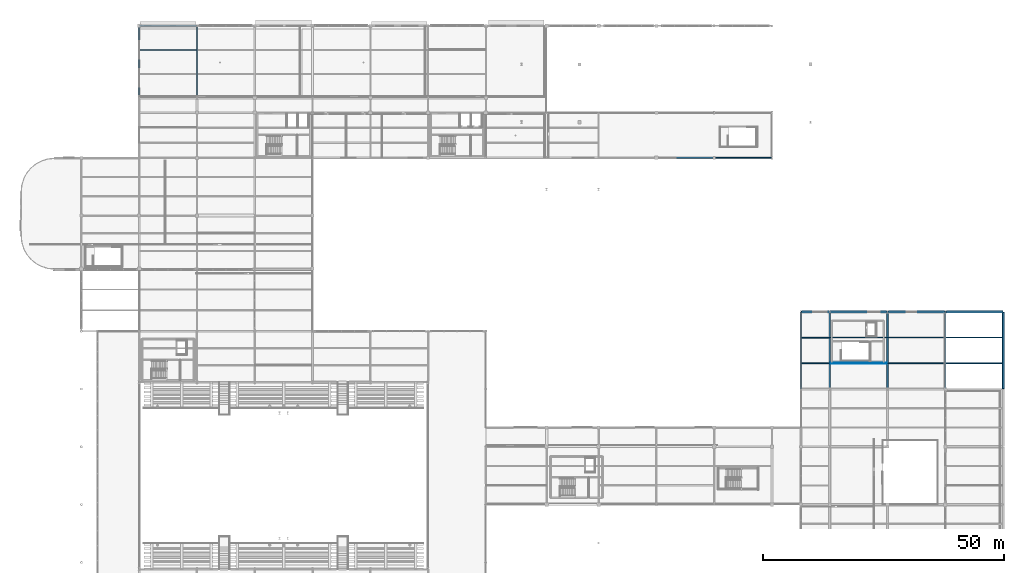
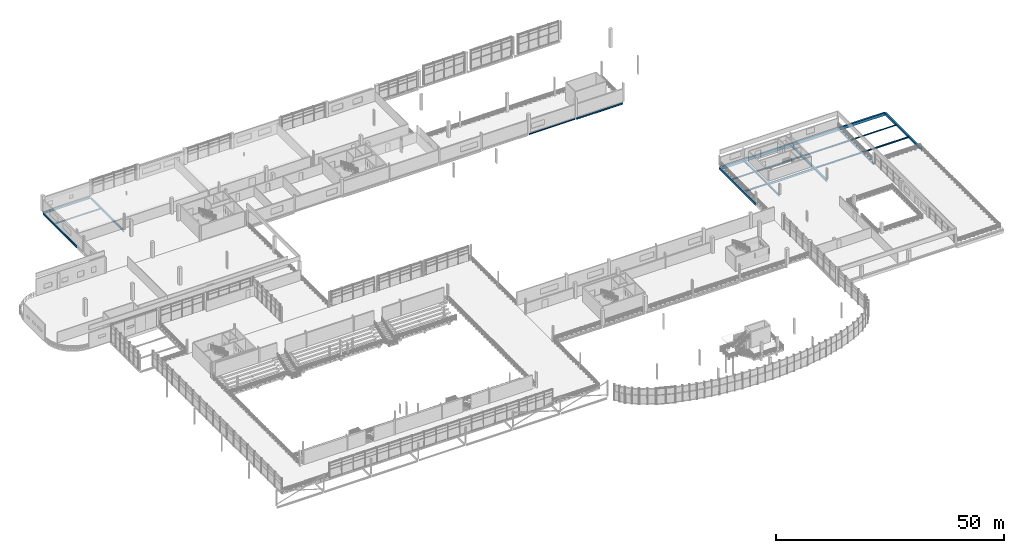
# One storey, part 49 of 89: 23 beams.
"""IFC4 building model written with IfcOpenShell, lengths in metres."""

import ifcopenshell
import ifcopenshell.guid

model = None  # the IFC model being written
_history = None  # IfcOwnerHistory: only IFC2X3 demands one
_inside = {}  # id of a spatial element -> (the spatial element, [elements in it])
_under = {}  # id of a project, library or spatial element -> (it, [spatial elements below it])
_declared = {}  # id of a project -> (the project, [libraries it declares])
_typed = {}  # id of a type object -> (the type object, [elements of that type])
_made_of = {}  # id of a material, layer set ... -> (it, [elements and type objects made of it])


def new_model(schema):
    """Start an empty IFC model of exactly this schema.

    Asked for "IFC4X3", IfcOpenShell would pick the latest addendum, in which some entities
    have other attributes; the version numbers below select the first issue.
    IFC2X3 requires an IfcOwnerHistory on every rooted entity: one is made here for all.
    """
    global model, _history
    if schema == "IFC4X3":
        model = ifcopenshell.file(schema_version=(4, 3, 0, 0))
    else:
        model = ifcopenshell.file(schema=schema)
    _inside.clear()
    _under.clear()
    _declared.clear()
    _typed.clear()
    _made_of.clear()
    _history = None
    if model.schema == "IFC2X3":
        org = make("IfcOrganization", Name="unknown")
        user = make(
            "IfcPersonAndOrganization",
            ThePerson=make("IfcPerson", FamilyName="unknown"),
            TheOrganization=org,
        )
        app = make(
            "IfcApplication",
            ApplicationDeveloper=org,
            Version="unknown",
            ApplicationFullName="unknown",
            ApplicationIdentifier="unknown",
        )
        _history = make(
            "IfcOwnerHistory",
            OwningUser=user,
            OwningApplication=app,
            ChangeAction="ADDED",
            CreationDate=0,
        )
    return model


def make(cls, **values):
    """One entity of the class cls with the attributes given. An attribute that is None is left unset."""
    return model.create_entity(
        cls, **{name: value for name, value in values.items() if value is not None}
    )


def rooted(cls, **values):
    """An entity with a GlobalId (a new one), such as an element, a storey or a relation."""
    return make(cls, GlobalId=ifcopenshell.guid.new(), OwnerHistory=_history, **values)


def si_unit(unit_type, name, prefix=None):
    """IfcSIUnit, for example si_unit("LENGTHUNIT", "METRE", prefix="MILLI")."""
    return make("IfcSIUnit", UnitType=unit_type, Prefix=prefix, Name=name)


def assignment(units):
    """IfcUnitAssignment: the units of a project."""
    return None if units is None else make("IfcUnitAssignment", Units=units)


def point(xyz):
    """IfcCartesianPoint."""
    return None if xyz is None else make("IfcCartesianPoint", Coordinates=xyz)


def direction(xyz):
    """IfcDirection."""
    return None if xyz is None else make("IfcDirection", DirectionRatios=xyz)


def frame(location, z_axis=None, x_axis=None):
    """IfcAxis2Placement3D, a coordinate frame: its origin and axes. An axis left out is left unset."""
    return make(
        "IfcAxis2Placement3D",
        Location=point(location),
        Axis=direction(z_axis),
        RefDirection=direction(x_axis),
    )


def frame_2d(location, x_axis=None):
    """IfcAxis2Placement2D, a coordinate frame in the plane: its origin and x axis."""
    return make(
        "IfcAxis2Placement2D", Location=point(location), RefDirection=direction(x_axis)
    )


def origin():
    """The frame at (0, 0, 0) with its axes left unset."""
    return frame((0.0, 0.0, 0.0))


def origin_2d():
    """The frame at (0, 0) in the plane with its x axis left unset."""
    return frame_2d((0.0, 0.0))


def place(relative_to, where):
    """IfcLocalPlacement: puts the frame where relative to a parent placement (None: the world)."""
    return make(
        "IfcLocalPlacement", PlacementRelTo=relative_to, RelativePlacement=where
    )


def context(
    kind, dimensions, precision=None, world=None, true_north=None, identifier=None
):
    """IfcGeometricRepresentationContext, for example the 3D "Model" context."""
    return make(
        "IfcGeometricRepresentationContext",
        ContextIdentifier=identifier,
        ContextType=kind,
        CoordinateSpaceDimension=dimensions,
        Precision=precision,
        WorldCoordinateSystem=world,
        TrueNorth=true_north,
    )


def subcontext(parent, identifier, kind, view, scale=None):
    """IfcGeometricRepresentationSubContext, for example "Body" below "Model"."""
    return make(
        "IfcGeometricRepresentationSubContext",
        ContextIdentifier=identifier,
        ContextType=kind,
        ParentContext=parent,
        TargetScale=scale,
        TargetView=view,
    )


def project(units=None, contexts=None):
    """IfcProject with its units and contexts."""
    return rooted(
        "IfcProject",
        Name="project",
        RepresentationContexts=contexts,
        UnitsInContext=assignment(units),
    )


def spatial(cls, under=None, at=None, **own):
    """A site, building, storey or space (cls), placed at a placement, below another one or the project."""
    s = rooted(cls, ObjectPlacement=at, **own)
    if under is not None:
        _under.setdefault(under.id(), (under, []))[1].append(s)
    return s


def profile(cls, at=None, kind="AREA", **sizes):
    """A parametric profile (cls). Its sizes go by their IFC names, for example OverallWidth=200.0."""
    return make(cls, ProfileType=kind, Position=at, **sizes)


def rectangle(**sizes):
    """IfcRectangleProfileDef."""
    return profile("IfcRectangleProfileDef", **sizes)


def i_section(**sizes):
    """IfcIShapeProfileDef."""
    return profile("IfcIShapeProfileDef", **sizes)


def extrude(swept, where, along, depth):
    """IfcExtrudedAreaSolid: the profile swept, set in the frame where, extruded along a direction by depth."""
    return make(
        "IfcExtrudedAreaSolid",
        SweptArea=swept,
        Position=where,
        ExtrudedDirection=direction(along),
        Depth=depth,
    )


def shape(context_of_items, identifier, shape_type, items):
    """IfcShapeRepresentation: the items that make up one representation, for example the "Body"."""
    return make(
        "IfcShapeRepresentation",
        ContextOfItems=context_of_items,
        RepresentationIdentifier=identifier,
        RepresentationType=shape_type,
        Items=items,
    )


def material(Name=None, Category=None):
    """IfcMaterial."""
    return make("IfcMaterial", Name=Name, Category=Category)


def material_profile(
    of_material, cross_section, Name=None, Category=None, Priority=None
):
    """IfcMaterialProfile: a cross section and its material."""
    return make(
        "IfcMaterialProfile",
        Name=Name,
        Material=of_material,
        Profile=cross_section,
        Priority=Priority,
        Category=Category,
    )


def profile_set(profiles, Name=None, composite=None):
    """IfcMaterialProfileSet."""
    return make(
        "IfcMaterialProfileSet",
        Name=Name,
        MaterialProfiles=profiles,
        CompositeProfile=composite,
    )


def made_of(thing, what):
    """Note that an element or type object is made of a material, layer set ...; save() writes the relation."""
    if what is not None:
        _made_of.setdefault(what.id(), (what, []))[1].append(thing)
    return thing


def type_object(cls, material=None, **own):
    """A type object (cls), such as IfcWallType, which elements share."""
    return made_of(rooted(cls, **own), material)


def element(
    cls,
    number,
    at=None,
    inside=None,
    cuts=None,
    type_object=None,
    material=None,
    context=None,
    identifier="Body",
    shape_type=None,
    held_by="IfcProductDefinitionShape",
    body=None,
    shapes=None,
    **own,
):
    """One element of the class cls, such as IfcWall. Its Tag is "e" and its number.

    at: its placement. inside: the storey or other place that contains it. cuts: it is an
    opening in that element (IfcRelVoidsElement). A single representation is given by context,
    identifier, shape_type and body (its items); several are given by shapes. held_by: the class
    of the entity that holds the representations. save() writes the other relations.
    """
    e = rooted(cls, Tag="e%d" % number, ObjectPlacement=at, **own)
    if body is not None:
        shapes = [shape(context, identifier, shape_type, body)]
    if shapes is not None:
        e.Representation = make(held_by, Representations=shapes)
    if inside is not None:
        _inside.setdefault(inside.id(), (inside, []))[1].append(e)
    if cuts is not None:
        rooted(
            "IfcRelVoidsElement", RelatingBuildingElement=cuts, RelatedOpeningElement=e
        )
    if type_object is not None:
        _typed.setdefault(type_object.id(), (type_object, []))[1].append(e)
    return made_of(e, material)


def aggregate(whole, parts):
    """IfcRelAggregates: a whole, such as a stair, and the parts it consists of."""
    return rooted("IfcRelAggregates", RelatingObject=whole, RelatedObjects=parts)


def save(model, path):
    """Write the relations noted so far, then the file.

    IfcRelAggregates (storeys below a building ...), IfcRelContainedInSpatialStructure (elements
    in a storey), IfcRelDefinesByType, IfcRelAssociatesMaterial and IfcRelDeclares: one each for
    every whole, place, type object, material and project.
    """
    for whole, parts in _under.values():
        aggregate(whole, parts)
    for where, things in _inside.values():
        rooted(
            "IfcRelContainedInSpatialStructure",
            RelatedElements=things,
            RelatingStructure=where,
        )
    for kind, things in _typed.values():
        rooted("IfcRelDefinesByType", RelatedObjects=things, RelatingType=kind)
    for what, things in _made_of.values():
        rooted("IfcRelAssociatesMaterial", RelatedObjects=things, RelatingMaterial=what)
    for by, libraries in _declared.values():
        rooted("IfcRelDeclares", RelatingContext=by, RelatedDefinitions=libraries)
    model.write(path)


model = new_model("IFC4")

# Units and contexts
model_context = context("Model", 3, precision=1e-05, world=origin(), true_north=direction((0.0, 1.0)))
body_context = subcontext(model_context, "Body", "Model", "MODEL_VIEW")
ifc_project = project(units=[si_unit("LENGTHUNIT", "METRE"), si_unit("AREAUNIT", "SQUARE_METRE"), si_unit("VOLUMEUNIT", "CUBIC_METRE"), si_unit("PLANEANGLEUNIT", "RADIAN"), si_unit("MASSUNIT", "GRAM", prefix="KILO"), si_unit("THERMODYNAMICTEMPERATUREUNIT", "KELVIN"), si_unit("POWERUNIT", "WATT")], contexts=[model_context])

# Site, building, storey
site_placement = place(None, origin())
site = spatial("IfcSite", under=ifc_project, at=site_placement, CompositionType="ELEMENT")
building_placement = place(site_placement, origin())
building = spatial("IfcBuilding", under=site, at=building_placement, Name="Solmara Park Aquatics Centre", CompositionType="ELEMENT")
storey_placement = place(building_placement, frame((0.0, 0.0, 5.39990234375)))
storey = spatial("IfcBuildingStorey", under=building, at=storey_placement, Name="L01", CompositionType="ELEMENT", Elevation=5.39990234375)

# Beams
ifc_material_1 = material(Name="Structural Steel S355", Category="steel")
ifc_material_profile_1 = material_profile(ifc_material_1, i_section(OverallWidth=0.300048828125, OverallDepth=0.330078125, WebThickness=0.009521484375, FlangeThickness=0.0166015625, FilletRadius=0.027099609375, at=origin_2d()), Name="HEA 340")
ifc_profile_set_1 = profile_set([ifc_material_profile_1], Name="Structural Steel S355")
beam_type_1 = type_object("IfcBeamType", Name="STR-BM-HEA340", PredefinedType="BEAM", material=ifc_profile_set_1)
beam_1_placement = place(storey_placement, frame((192.0, 60.679931640625, -0.48486328125), z_axis=(0.0, 1.0, 0.0), x_axis=(-1.0, 0.0, 0.0)))
element("IfcBeam", 1, at=beam_1_placement, inside=storey, type_object=beam_type_1, Name="Girder BM-L01-0259", PredefinedType="BEAM", context=body_context, shape_type="SweptSolid", body=[
    extrude(i_section(OverallWidth=0.300048828125, OverallDepth=0.330078125, WebThickness=0.009521484375, FlangeThickness=0.0166015625, FilletRadius=0.027099609375, at=origin_2d()), origin(), (0.0, 0.0, 1.0), 15.840087890625),
])
ifc_material_profile_2 = material_profile(ifc_material_1, i_section(OverallWidth=0.300048828125, OverallDepth=0.389892578125, WebThickness=0.010986328125, FlangeThickness=0.01904296875, FilletRadius=0.027099609375, at=origin_2d()), Name="HEA 400")
ifc_profile_set_2 = profile_set([ifc_material_profile_2], Name="Structural Steel S355")
beam_type_2 = type_object("IfcBeamType", Name="STR-BM-HEA400", PredefinedType="BEAM", material=ifc_profile_set_2)
beam_2_placement = place(storey_placement, frame((168.0, 60.679931640625, -0.514892578125), z_axis=(0.0, 1.0, 0.0), x_axis=(-1.0, 0.0, 0.0)))
element("IfcBeam", 2, at=beam_2_placement, inside=storey, type_object=beam_type_2, Name="Girder BM-L01-0252", PredefinedType="BEAM", context=body_context, shape_type="SweptSolid", body=[
    extrude(i_section(OverallWidth=0.300048828125, OverallDepth=0.389892578125, WebThickness=0.010986328125, FlangeThickness=0.01904296875, FilletRadius=0.027099609375, at=origin_2d()), origin(), (0.0, 0.0, 1.0), 15.840087890625),
])
ifc_material_profile_3 = material_profile(ifc_material_1, i_section(OverallWidth=0.280029296875, OverallDepth=0.280029296875, WebThickness=0.010498046875, FlangeThickness=0.01806640625, FilletRadius=0.02392578125, at=origin_2d()), Name="HEB 280")
ifc_profile_set_3 = profile_set([ifc_material_profile_3], Name="Structural Steel S355")
beam_type_3 = type_object("IfcBeamType", Name="STR-BM-HEB280", PredefinedType="BEAM", material=ifc_profile_set_3)
beam_3_placement = place(storey_placement, frame((132.080078125, 108.60009765625, -0.4599609375), z_axis=(1.0, 0.0, 0.0), x_axis=(0.0, 1.0, 0.0)))
element("IfcBeam", 3, at=beam_3_placement, inside=storey, type_object=beam_type_3, Name="Girder BM-L01-0342", PredefinedType="BEAM", context=body_context, shape_type="SweptSolid", body=[
    extrude(i_section(OverallWidth=0.280029296875, OverallDepth=0.280029296875, WebThickness=0.010498046875, FlangeThickness=0.01806640625, FilletRadius=0.02392578125, at=origin_2d()), origin(), (0.0, 0.0, 1.0), 11.83984375),
])
ifc_material_profile_4 = material_profile(ifc_material_1, i_section(OverallWidth=0.300048828125, OverallDepth=0.550048828125, WebThickness=0.014892578125, FlangeThickness=0.029052734375, FilletRadius=0.027099609375, at=origin_2d()), Name="HEB 550")
ifc_profile_set_4 = profile_set([ifc_material_profile_4], Name="Structural Steel S355")
beam_type_4 = type_object("IfcBeamType", Name="STR-BM-HEB550", PredefinedType="BEAM", material=ifc_profile_set_4)
beam_4_placement = place(storey_placement, frame((24.679931640625, 136.0, -0.594970703125), z_axis=(1.0, 0.0, 0.0), x_axis=(0.0, 1.0, 0.0)))
element("IfcBeam", 4, at=beam_4_placement, inside=storey, type_object=beam_type_4, Name="Girder BM-L01-0310", PredefinedType="BEAM", context=body_context, shape_type="SweptSolid", body=[
    extrude(i_section(OverallWidth=0.300048828125, OverallDepth=0.550048828125, WebThickness=0.014892578125, FlangeThickness=0.029052734375, FilletRadius=0.027099609375, at=origin_2d()), origin(), (0.0, 0.0, 1.0), 11.840087890625),
])
ifc_material_profile_5 = material_profile(ifc_material_1, i_section(OverallWidth=0.18994140625, OverallDepth=0.449951171875, WebThickness=0.009521484375, FlangeThickness=0.0146484375, FilletRadius=0.02099609375, at=origin_2d()), Name="IPE 450")
ifc_profile_set_5 = profile_set([ifc_material_profile_5], Name="Structural Steel S355")
beam_type_5 = type_object("IfcBeamType", Name="STR-BM-IPE450", PredefinedType="BEAM", material=ifc_profile_set_5)
beam_5_placement = place(storey_placement, frame((144.080078125, 108.60009765625, -0.544921875), z_axis=(1.0, 0.0, 0.0), x_axis=(0.0, 1.0, 0.0)))
element("IfcBeam", 5, at=beam_5_placement, inside=storey, type_object=beam_type_5, Name="Girder BM-L01-0343", PredefinedType="BEAM", context=body_context, shape_type="SweptSolid", body=[
    extrude(i_section(OverallWidth=0.18994140625, OverallDepth=0.449951171875, WebThickness=0.009521484375, FlangeThickness=0.0146484375, FilletRadius=0.02099609375, at=origin_2d()), origin(), (0.0, 0.0, 1.0), 11.83984375),
])
ifc_material_profile_6 = material_profile(ifc_material_1, i_section(OverallWidth=0.219970703125, OverallDepth=0.60009765625, WebThickness=0.011962890625, FlangeThickness=0.01904296875, FilletRadius=0.02392578125, at=origin_2d()), Name="IPE 600")
ifc_profile_set_6 = profile_set([ifc_material_profile_6], Name="Structural Steel S355")
beam_type_6 = type_object("IfcBeamType", Name="STR-BM-IPE600", PredefinedType="BEAM", material=ifc_profile_set_6)
for number, where, z_axis, x_axis, name in (
    (6, (24.60009765625, 121.080078125, -0.619873046875), (0.0, 1.0, 0.0), (-1.0, 0.0, 0.0), "Girder BM-L01-0320"),
    (7, (36.60009765625, 121.080078125, -0.619873046875), (0.0, 1.0, 0.0), (-1.0, 0.0, 0.0), "Girder BM-L01-0323"),
):
    element("IfcBeam", number, at=place(storey_placement, frame(where, z_axis=z_axis, x_axis=x_axis)), inside=storey, type_object=beam_type_6, Name=name, PredefinedType="BEAM", context=body_context, shape_type="SweptSolid", body=[
        extrude(i_section(OverallWidth=0.219970703125, OverallDepth=0.60009765625, WebThickness=0.011962890625, FlangeThickness=0.01904296875, FilletRadius=0.02392578125, at=origin_2d()), origin(), (0.0, 0.0, 1.0), 14.83984375),
    ])
ifc_material_2 = material(Name="Concrete C40/50", Category="concrete")
ifc_material_profile_7 = material_profile(ifc_material_2, rectangle(XDim=0.35009765625, YDim=0.60009765625, at=origin_2d()), Name="RC 350x600")
ifc_profile_set_7 = profile_set([ifc_material_profile_7], Name="Concrete C40/50")
beam_type_7 = type_object("IfcBeamType", Name="STR-BM-RC350x600", PredefinedType="BEAM", material=ifc_profile_set_7)
for number, where, z_axis, x_axis, name in (
    (8, (162.0, 60.679931640625, -0.619873046875), (0.0, 1.0, 0.0), (-1.0, 0.0, 0.0), "Girder BM-L01-0248"),
    (9, (180.0, 60.679931640625, -0.619873046875), (0.0, 1.0, 0.0), (-1.0, 0.0, 0.0), "Girder BM-L01-0255"),
    (10, (204.0, 60.679931640625, -0.619873046875), (0.0, 1.0, 0.0), (-1.0, 0.0, 0.0), "Girder BM-L01-0263"),
):
    element("IfcBeam", number, at=place(storey_placement, frame(where, z_axis=z_axis, x_axis=x_axis)), inside=storey, type_object=beam_type_7, Name=name, PredefinedType="BEAM", context=body_context, shape_type="SweptSolid", body=[
        extrude(rectangle(XDim=0.35009765625, YDim=0.60009765625, at=origin_2d()), origin(), (0.0, 0.0, 1.0), 15.840087890625),
    ])
ifc_material_profile_8 = material_profile(ifc_material_2, rectangle(XDim=0.39990234375, YDim=0.75, at=origin_2d()), Name="RC 400x750")
ifc_profile_set_8 = profile_set([ifc_material_profile_8], Name="Concrete C40/50")
beam_type_8 = type_object("IfcBeamType", Name="STR-BM-RC400x750", PredefinedType="BEAM", material=ifc_profile_set_8)
beam_6_placement = place(storey_placement, frame((162.080078125, 76.60009765625, -0.69482421875), z_axis=(1.0, 0.0, 0.0), x_axis=(0.0, 1.0, 0.0)))
element("IfcBeam", 11, at=beam_6_placement, inside=storey, type_object=beam_type_8, Name="Girder BM-L01-0241", PredefinedType="BEAM", context=body_context, shape_type="SweptSolid", body=[
    extrude(rectangle(XDim=0.39990234375, YDim=0.75, at=origin_2d()), origin(), (0.0, 0.0, 1.0), 5.83984375),
])
for number, where, z_axis, x_axis, name in (
    (12, (168.080078125, 76.60009765625, -0.69482421875), (1.0, 0.0, 0.0), (0.0, 1.0, 0.0), "Girder BM-L01-0242"),
    (13, (180.080078125, 76.60009765625, -0.69482421875), (1.0, 0.0, 0.0), (0.0, 1.0, 0.0), "Girder BM-L01-0243"),
    (14, (192.080078125, 76.60009765625, -0.69482421875), (1.0, 0.0, 0.0), (0.0, 1.0, 0.0), "Girder BM-L01-0244"),
):
    element("IfcBeam", number, at=place(storey_placement, frame(where, z_axis=z_axis, x_axis=x_axis)), inside=storey, type_object=beam_type_8, Name=name, PredefinedType="BEAM", context=body_context, shape_type="SweptSolid", body=[
        extrude(rectangle(XDim=0.39990234375, YDim=0.75, at=origin_2d()), origin(), (0.0, 0.0, 1.0), 11.83984375),
    ])
ifc_material_3 = material(Name="Glulam Timber GL28h", Category="wood")
ifc_material_profile_9 = material_profile(ifc_material_3, rectangle(XDim=0.199951171875, YDim=0.5400390625, at=origin_2d()), Name="GL28h 200x540")
ifc_profile_set_9 = profile_set([ifc_material_profile_9], Name="Glulam Timber GL28h")
beam_type_9 = type_object("IfcBeamType", Name="STR-JST-GL200x540", PredefinedType="JOIST", material=ifc_profile_set_9)
beam_7_placement = place(storey_placement, frame((168.14990234375, 65.933349609375, -0.58984375), z_axis=(1.0, 0.0, 0.0), x_axis=(0.0, 1.0, 0.0)))
element("IfcBeam", 15, at=beam_7_placement, inside=storey, type_object=beam_type_9, Name="Floor Joist JST-L01-0144", PredefinedType="JOIST", context=body_context, shape_type="SweptSolid", body=[
    extrude(rectangle(XDim=0.199951171875, YDim=0.5400390625, at=origin_2d()), origin(), (0.0, 0.0, 1.0), 11.675048828125),
])
ifc_material_profile_10 = material_profile(ifc_material_1, i_section(OverallWidth=0.199951171875, OverallDepth=0.18994140625, WebThickness=0.006591796875, FlangeThickness=0.010009765625, FilletRadius=0.01806640625, at=origin_2d()), Name="HEA 200")
ifc_profile_set_10 = profile_set([ifc_material_profile_10], Name="Structural Steel S355")
beam_type_10 = type_object("IfcBeamType", Name="STR-JST-HEA200", PredefinedType="JOIST", material=ifc_profile_set_10)
beam_8_placement = place(storey_placement, frame((162.175048828125, 71.2666015625, -0.414794921875), z_axis=(1.0, 0.0, 0.0), x_axis=(0.0, 1.0, 0.0)))
element("IfcBeam", 16, at=beam_8_placement, inside=storey, type_object=beam_type_10, Name="Floor Joist JST-L01-0139", PredefinedType="JOIST", context=body_context, shape_type="SweptSolid", body=[
    extrude(i_section(OverallWidth=0.199951171875, OverallDepth=0.18994140625, WebThickness=0.006591796875, FlangeThickness=0.010009765625, FilletRadius=0.01806640625, at=origin_2d()), origin(), (0.0, 0.0, 1.0), 5.675048828125),
])
ifc_material_profile_11 = material_profile(ifc_material_1, i_section(OverallWidth=0.239990234375, OverallDepth=0.22998046875, WebThickness=0.007568359375, FlangeThickness=0.011962890625, FilletRadius=0.02099609375, at=origin_2d()), Name="HEA 240")
ifc_profile_set_11 = profile_set([ifc_material_profile_11], Name="Structural Steel S355")
beam_type_11 = type_object("IfcBeamType", Name="STR-JST-HEA240", PredefinedType="JOIST", material=ifc_profile_set_11)
beam_9_placement = place(storey_placement, frame((192.14990234375, 71.2666015625, -0.434814453125), z_axis=(1.0, 0.0, 0.0), x_axis=(0.0, 1.0, 0.0)))
element("IfcBeam", 17, at=beam_9_placement, inside=storey, type_object=beam_type_11, Name="Floor Joist JST-L01-0159", PredefinedType="JOIST", context=body_context, shape_type="SweptSolid", body=[
    extrude(i_section(OverallWidth=0.239990234375, OverallDepth=0.22998046875, WebThickness=0.007568359375, FlangeThickness=0.011962890625, FilletRadius=0.02099609375, at=origin_2d()), origin(), (0.0, 0.0, 1.0), 11.675048828125),
])
ifc_material_profile_12 = material_profile(ifc_material_1, i_section(OverallWidth=0.14990234375, OverallDepth=0.300048828125, WebThickness=0.007080078125, FlangeThickness=0.0107421875, FilletRadius=0.014892578125, at=origin_2d()), Name="IPE 300")
ifc_profile_set_12 = profile_set([ifc_material_profile_12], Name="Structural Steel S355")
beam_type_12 = type_object("IfcBeamType", Name="STR-JST-IPE300", PredefinedType="JOIST", material=ifc_profile_set_12)
beam_10_placement = place(storey_placement, frame((162.175048828125, 65.933349609375, -0.469970703125), z_axis=(1.0, 0.0, 0.0), x_axis=(0.0, 1.0, 0.0)))
element("IfcBeam", 18, at=beam_10_placement, inside=storey, type_object=beam_type_12, Name="Floor Joist JST-L01-0138", PredefinedType="JOIST", context=body_context, shape_type="SweptSolid", body=[
    extrude(i_section(OverallWidth=0.14990234375, OverallDepth=0.300048828125, WebThickness=0.007080078125, FlangeThickness=0.0107421875, FilletRadius=0.014892578125, at=origin_2d()), origin(), (0.0, 0.0, 1.0), 5.675048828125),
])
for number, where, z_axis, x_axis, name in (
    (19, (168.14990234375, 71.2666015625, -0.469970703125), (1.0, 0.0, 0.0), (0.0, 1.0, 0.0), "Floor Joist JST-L01-0145"),
    (20, (180.175048828125, 65.933349609375, -0.469970703125), (1.0, 0.0, 0.0), (0.0, 1.0, 0.0), "Floor Joist JST-L01-0150"),
    (21, (180.175048828125, 71.2666015625, -0.469970703125), (1.0, 0.0, 0.0), (0.0, 1.0, 0.0), "Floor Joist JST-L01-0151"),
    (22, (192.14990234375, 65.933349609375, -0.469970703125), (1.0, 0.0, 0.0), (0.0, 1.0, 0.0), "Floor Joist JST-L01-0158"),
):
    element("IfcBeam", number, at=place(storey_placement, frame(where, z_axis=z_axis, x_axis=x_axis)), inside=storey, type_object=beam_type_12, Name=name, PredefinedType="JOIST", context=body_context, shape_type="SweptSolid", body=[
        extrude(i_section(OverallWidth=0.14990234375, OverallDepth=0.300048828125, WebThickness=0.007080078125, FlangeThickness=0.0107421875, FilletRadius=0.014892578125, at=origin_2d()), origin(), (0.0, 0.0, 1.0), 11.675048828125),
    ])
ifc_material_profile_13 = material_profile(ifc_material_1, i_section(OverallWidth=0.169921875, OverallDepth=0.360107421875, WebThickness=0.008056640625, FlangeThickness=0.0126953125, FilletRadius=0.01806640625, at=origin_2d()), Name="IPE 360")
ifc_profile_set_13 = profile_set([ifc_material_profile_13], Name="Structural Steel S355")
beam_type_13 = type_object("IfcBeamType", Name="STR-JST-IPE360", PredefinedType="JOIST", material=ifc_profile_set_13)
beam_11_placement = place(storey_placement, frame((24.7099609375, 131.0, -0.5), z_axis=(1.0, 0.0, 0.0), x_axis=(0.0, 1.0, 0.0)))
element("IfcBeam", 23, at=beam_11_placement, inside=storey, type_object=beam_type_13, Name="Floor Joist JST-L01-0186", PredefinedType="JOIST", context=body_context, shape_type="SweptSolid", body=[
    extrude(i_section(OverallWidth=0.169921875, OverallDepth=0.360107421875, WebThickness=0.008056640625, FlangeThickness=0.0126953125, FilletRadius=0.01806640625, at=origin_2d()), origin(), (0.0, 0.0, 1.0), 11.780029296875),
])

save(model, "model.ifc")
